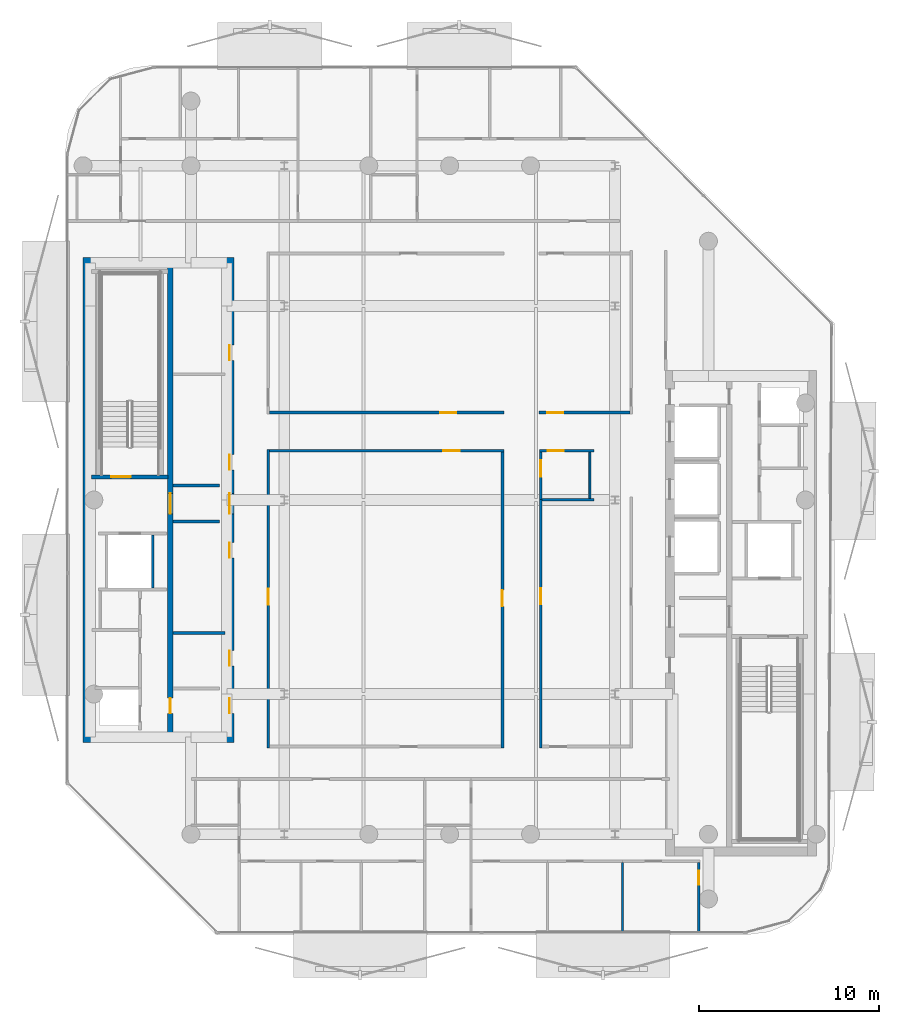
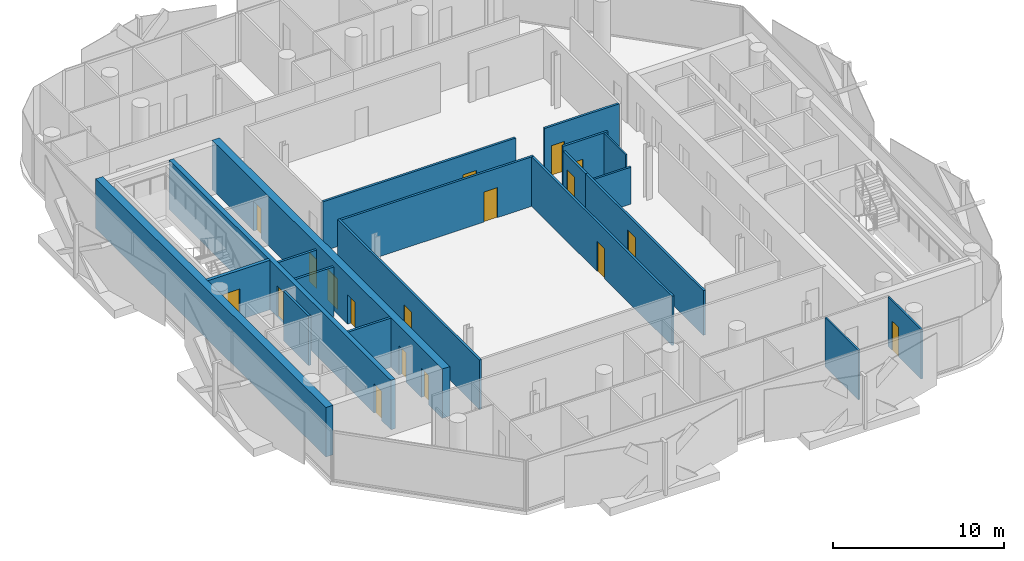
# One storey, part 5 of 17: 20 walls, 18 doors, 18 openings.
"""IFC4 building model written with IfcOpenShell, lengths in metres."""

from ifc_helpers import new_model, si_unit, direction, frame, frame_2d, origin, place, context, subcontext, project, spatial, rectangle, extrude, material, layer, layer_set, type_object, element, fill, save


model = new_model("IFC4")

# Units and contexts
model_context = context("Model", 3, precision=1e-05, world=origin(), true_north=direction((0.0, 1.0)))
body_context = subcontext(model_context, "Body", "Model", "MODEL_VIEW")
ifc_project = project(units=[si_unit("LENGTHUNIT", "METRE"), si_unit("AREAUNIT", "SQUARE_METRE"), si_unit("VOLUMEUNIT", "CUBIC_METRE"), si_unit("PLANEANGLEUNIT", "RADIAN"), si_unit("MASSUNIT", "GRAM", prefix="KILO")], contexts=[model_context])

# Site, building, storey
site_placement = place(None, origin())
site = spatial("IfcSite", under=ifc_project, at=site_placement, CompositionType="ELEMENT")
building_placement = place(site_placement, origin())
building = spatial("IfcBuilding", under=site, at=building_placement, Name="Khairoan Windgate Tower", CompositionType="ELEMENT")
storey_placement = place(building_placement, frame((0.0, 0.0, 304.199951171875)))
storey = spatial("IfcBuildingStorey", under=building, at=storey_placement, Name="L73", CompositionType="ELEMENT", Elevation=304.199951171875)

# Walls
ifc_material_1 = material(Name="Moisture-Resistant Gypsum Partition", Category="gypsum")
ifc_layer_1 = layer(ifc_material_1, 0.10009765625, Name="Moisture-Resistant Gypsum Partition")
ifc_layer_set_1 = layer_set([ifc_layer_1], Name="Moisture-Resistant Gypsum Partition")
wall_type_1 = type_object("IfcWallType", Name="Bathroom Wet-Area Partition Wall", PredefinedType="PARTITIONING", material=ifc_layer_set_1)
wall_1_placement = place(storey_placement, frame((7.800048828125, 2.659912109375, 0.0), z_axis=(0.0, 0.0, 1.0), x_axis=(0.0, -1.0, 0.0)))
element("IfcWall", 1, at=wall_1_placement, inside=storey, type_object=wall_type_1, Name="L73 Wet Room Side Wall 087", PredefinedType="PARTITIONING", context=body_context, shape_type="SweptSolid", body=[
    extrude(rectangle(XDim=2.56982421875, YDim=0.10009765625, at=frame_2d((1.284912109375, 0.0))), origin(), (0.0, 0.0, 1.0), 3.5400390625),
])
ifc_material_2 = material(Name="Concrete C40/50", Category="concrete")
ifc_layer_2 = layer(ifc_material_2, 0.159912109375, Name="Concrete C40/50")
ifc_layer_set_2 = layer_set([ifc_layer_2], Name="Concrete C40/50")
wall_type_2 = type_object("IfcWallType", Name="Core and Hoistway Enclosure Wall", PredefinedType="STANDARD", material=ifc_layer_set_2)
wall_2_placement = place(storey_placement, frame((-16.52001953125, -4.89990234375, 0.0), z_axis=(0.0, 0.0, 1.0), x_axis=(0.0, 1.0, 0.0)))
element("IfcWall", 2, at=wall_2_placement, inside=storey, type_object=wall_type_2, Name="L73 Core Shaft Wall SW-FL2E-L73", PredefinedType="STANDARD", context=body_context, shape_type="SweptSolid", body=[
    extrude(rectangle(XDim=2.9599609375, YDim=0.159912109375, at=frame_2d((1.47998046875, 0.0))), origin(), (0.0, 0.0, 1.0), 3.5400390625),
])
for number, where, z_axis, x_axis, name in (
    (3, (-15.39990234375, 0.800048828125, 0.0), (0.0, 0.0, 1.0), (1.0, 0.0, 0.0), "L73 Core Shaft Wall SW-WV1-L73"),
    (4, (-15.39990234375, -1.199951171875, 0.0), (0.0, 0.0, 1.0), (1.0, 0.0, 0.0), "L73 Core Shaft Wall SW-WV2-L73"),
):
    element("IfcWall", number, at=place(storey_placement, frame(where, z_axis=z_axis, x_axis=x_axis)), inside=storey, type_object=wall_type_2, Name=name, PredefinedType="STANDARD", context=body_context, shape_type="SweptSolid", body=[
        extrude(rectangle(XDim=2.599853515625, YDim=0.159912109375, at=frame_2d((1.2998046875, 0.0))), origin(), (0.0, 0.0, 1.0), 3.5400390625),
    ])
ifc_material_3 = material(Name="Acoustic Fire-Rated Gypsum Partition", Category="gypsum")
ifc_layer_3 = layer(ifc_material_3, 0.139892578125, Name="Acoustic Fire-Rated Gypsum Partition")
ifc_layer_set_3 = layer_set([ifc_layer_3], Name="Acoustic Fire-Rated Gypsum Partition")
wall_type_3 = type_object("IfcWallType", Name="Inter-Tenancy Compartment Wall", PredefinedType="PARTITIONING", material=ifc_layer_set_3)
wall_3_placement = place(storey_placement, frame((5.139892578125, 0.02001953125, 0.0), z_axis=(0.0, 0.0, 1.0), x_axis=(1.0, 0.0, 0.0)))
element("IfcWall", 5, at=wall_3_placement, inside=storey, type_object=wall_type_3, Name="L73 Interior Partition 082", PredefinedType="PARTITIONING", context=body_context, shape_type="SweptSolid", body=[
    extrude(rectangle(XDim=2.900146484375, YDim=0.139892578125, at=frame_2d((1.4501953125, 0.0))), origin(), (0.0, 0.0, 1.0), 2.64013671875),
])

# Wall, opening, door
ifc_material_4 = material(Name="Gypsum Stud Partition", Category="gypsum")
ifc_layer_4 = layer(ifc_material_4, 0.1201171875, Name="Gypsum Stud Partition")
ifc_layer_set_4 = layer_set([ifc_layer_4], Name="Gypsum Stud Partition")
wall_type_4 = type_object("IfcWallType", Name="Internal Room Partition Wall", PredefinedType="PARTITIONING", material=ifc_layer_set_4)
wall_4_placement = place(storey_placement, frame((13.860107421875, -24.054931640625, 0.0), z_axis=(0.0, 0.0, 1.0), x_axis=(0.0, 1.0, 0.0)))
wall_4 = element("IfcWall", 6, at=wall_4_placement, inside=storey, type_object=wall_type_4, Name="L73 Interior Partition 079", PredefinedType="PARTITIONING", context=body_context, shape_type="SweptSolid", body=[
    extrude(rectangle(XDim=3.89501953125, YDim=0.1201171875, at=frame_2d((1.947509765625, 0.0))), origin(), (0.0, 0.0, 1.0), 3.5400390625),
])
opening_1_placement = place(wall_4_placement, frame((2.635009765625, 0.0, 0.0)))
opening_1 = element("IfcOpeningElement", 7, at=opening_1_placement, cuts=wall_4, Name="Opening ID-BTH", PredefinedType="OPENING", context=body_context, shape_type="SweptSolid", body=[
    extrude(rectangle(XDim=0.800048828125, YDim=2.10009765625, at=frame_2d((0.39990234375, 1.050048828125))), frame((0.0, 0.070068359375, 0.0), z_axis=(0.0, -1.0, 0.0), x_axis=(1.0, 0.0, 0.0)), (0.0, 0.0, 1.0), 0.14013671875),
])
ifc_material_5 = material(Name="Teak Veneer Timber Leaf", Category="wood")
door_type_1 = type_object("IfcDoorType", Name="Internal Bathroom Door ID-BTH 800x2100", OperationType="NOTDEFINED", PredefinedType="DOOR", material=ifc_material_5)
door_1_placement = place(opening_1_placement, origin())
door_1 = element("IfcDoor", 8, at=door_1_placement, inside=storey, type_object=door_type_1, Name="L73 L73-55-L73-58 Door", OperationType="SINGLE_SWING_LEFT", OverallHeight=2.10009765625, OverallWidth=0.800048828125, PredefinedType="DOOR", context=body_context, shape_type="SweptSolid", body=[
    extrude(rectangle(XDim=0.800048828125, YDim=2.10009765625, at=frame_2d((0.39990234375, 1.050048828125))), frame((0.0, 0.02490234375, 0.0), z_axis=(0.0, -1.0, 0.0), x_axis=(1.0, 0.0, 0.0)), (0.0, 0.0, 1.0), 0.050048828125),
])
fill(opening_1, door_1)

# Walls
wall_5_placement = place(storey_placement, frame((9.610107421875, -24.054931640625, 0.0), z_axis=(0.0, 0.0, 1.0), x_axis=(0.0, 1.0, 0.0)))
element("IfcWall", 9, at=wall_5_placement, inside=storey, type_object=wall_type_4, Name="L73 Interior Partition 081", PredefinedType="PARTITIONING", context=body_context, shape_type="SweptSolid", body=[
    extrude(rectangle(XDim=3.89501953125, YDim=0.1201171875, at=frame_2d((1.947509765625, 0.0))), origin(), (0.0, 0.0, 1.0), 3.5400390625),
])
ifc_material_6 = material(Name="Concrete C40/50", Category="concrete")
ifc_layer_5 = layer(ifc_material_6, 0.159912109375, Name="Concrete C40/50")
ifc_layer_set_5 = layer_set([ifc_layer_5], Name="Concrete C40/50")
wall_type_5 = type_object("IfcWallType", Name="Plant and Refuge Compartment Wall", PredefinedType="PARTITIONING", material=ifc_layer_set_5)
wall_6_placement = place(storey_placement, frame((-15.39990234375, -7.39990234375, 0.0), z_axis=(0.0, 0.0, 1.0), x_axis=(1.0, 0.0, 0.0)))
element("IfcWall", 10, at=wall_6_placement, inside=storey, type_object=wall_type_5, Name="L73 Interior Partition 007", PredefinedType="PARTITIONING", context=body_context, shape_type="SweptSolid", body=[
    extrude(rectangle(XDim=2.89990234375, YDim=0.159912109375, at=frame_2d((1.449951171875, 0.0))), origin(), (0.0, 0.0, 1.0), 3.5400390625),
])

# Wall, opening, door
ifc_material_7 = material(Name="Acoustic Fire-Rated Gypsum Partition", Category="gypsum")
ifc_layer_6 = layer(ifc_material_7, 0.14990234375, Name="Acoustic Fire-Rated Gypsum Partition")
ifc_layer_set_6 = layer_set([ifc_layer_6], Name="Acoustic Fire-Rated Gypsum Partition")
wall_type_6 = type_object("IfcWallType", Name="Rated Corridor Partition Wall", PredefinedType="PARTITIONING", material=ifc_layer_set_6)
wall_7_placement = place(storey_placement, frame((-10.10009765625, -13.794921875, 0.0), z_axis=(0.0, 0.0, 1.0), x_axis=(0.0, 1.0, 0.0)))
wall_7 = element("IfcWall", 11, at=wall_7_placement, inside=storey, type_object=wall_type_6, Name="L73 Interior Partition 014", PredefinedType="PARTITIONING", context=body_context, shape_type="SweptSolid", body=[
    extrude(rectangle(XDim=16.60498046875, YDim=0.14990234375, at=frame_2d((8.302490234375, 0.0))), origin(), (0.0, 0.0, 1.0), 3.5400390625),
])
opening_2_placement = place(wall_7_placement, frame((7.953857421875, 0.0, 0.0)))
opening_2 = element("IfcOpeningElement", 12, at=opening_2_placement, cuts=wall_7, Name="Opening FD-ENT", PredefinedType="OPENING", context=body_context, shape_type="SweptSolid", body=[
    extrude(rectangle(XDim=0.89990234375, YDim=2.14990234375, at=frame_2d((0.449951171875, 1.074951171875))), frame((0.0, 0.0849609375, 0.0), z_axis=(0.0, -1.0, 0.0), x_axis=(1.0, 0.0, 0.0)), (0.0, 0.0, 1.0), 0.169921875),
])
ifc_material_8 = material(Name="Timber Fire-Rated Core", Category="wood")
door_type_2 = type_object("IfcDoorType", Name="Unit and Office Fire Entrance Door FD-ENT 900x2150", OperationType="NOTDEFINED", PredefinedType="DOOR", material=ifc_material_8)
door_2_placement = place(opening_2_placement, origin())
door_2 = element("IfcDoor", 13, at=door_2_placement, inside=storey, type_object=door_type_2, Name="L73 L73-27-L73-61 Door", OperationType="SINGLE_SWING_LEFT", OverallHeight=2.14990234375, OverallWidth=0.89990234375, PredefinedType="DOOR", context=body_context, shape_type="SweptSolid", body=[
    extrude(rectangle(XDim=0.89990234375, YDim=2.14990234375, at=frame_2d((0.449951171875, 1.074951171875))), frame((0.0, 0.02490234375, 0.0), z_axis=(0.0, -1.0, 0.0), x_axis=(1.0, 0.0, 0.0)), (0.0, 0.0, 1.0), 0.050048828125),
])
fill(opening_2, door_2)

wall_8_placement = place(storey_placement, frame((-10.02490234375, 4.864990234375, 0.0), z_axis=(0.0, 0.0, 1.0), x_axis=(1.0, 0.0, 0.0)))
wall_8 = element("IfcWall", 14, at=wall_8_placement, inside=storey, type_object=wall_type_6, Name="L73 Interior Partition 018", PredefinedType="PARTITIONING", context=body_context, shape_type="SweptSolid", body=[
    extrude(rectangle(XDim=13.054931640625, YDim=0.14990234375, at=frame_2d((6.52734375, 0.0))), origin(), (0.0, 0.0, 1.0), 3.5400390625),
])
opening_3_placement = place(wall_8_placement, frame((9.488037109375, 0.0, 0.0)))
opening_3 = element("IfcOpeningElement", 15, at=opening_3_placement, cuts=wall_8, Name="Opening FD-ENT", PredefinedType="OPENING", context=body_context, shape_type="SweptSolid", body=[
    extrude(rectangle(XDim=0.89990234375, YDim=2.14990234375, at=frame_2d((0.449951171875, 1.074951171875))), frame((0.0, 0.0849609375, 0.0), z_axis=(0.0, -1.0, 0.0), x_axis=(1.0, 0.0, 0.0)), (0.0, 0.0, 1.0), 0.169921875),
])
door_3_placement = place(opening_3_placement, origin())
door_3 = element("IfcDoor", 16, at=door_3_placement, inside=storey, type_object=door_type_2, Name="L73 L73-29-L73-60 Door", OperationType="SINGLE_SWING_LEFT", OverallHeight=2.14990234375, OverallWidth=0.89990234375, PredefinedType="DOOR", context=body_context, shape_type="SweptSolid", body=[
    extrude(rectangle(XDim=0.89990234375, YDim=2.14990234375, at=frame_2d((0.449951171875, 1.074951171875))), frame((0.0, 0.02490234375, 0.0), z_axis=(0.0, -1.0, 0.0), x_axis=(1.0, 0.0, 0.0)), (0.0, 0.0, 1.0), 0.050048828125),
])
fill(opening_3, door_3)

wall_9_placement = place(storey_placement, frame((-10.02490234375, 2.735107421875, 0.0), z_axis=(0.0, 0.0, 1.0), x_axis=(1.0, 0.0, 0.0)))
wall_9 = element("IfcWall", 17, at=wall_9_placement, inside=storey, type_object=wall_type_6, Name="L73 Interior Partition 019", PredefinedType="PARTITIONING", context=body_context, shape_type="SweptSolid", body=[
    extrude(rectangle(XDim=13.034912109375, YDim=0.14990234375, at=frame_2d((6.517578125, 0.0))), origin(), (0.0, 0.0, 1.0), 3.5400390625),
])
opening_4_placement = place(wall_9_placement, frame((9.67236328125, 0.0, 0.0)))
opening_4 = element("IfcOpeningElement", 18, at=opening_4_placement, cuts=wall_9, Name="Opening FD-ENT", PredefinedType="OPENING", context=body_context, shape_type="SweptSolid", body=[
    extrude(rectangle(XDim=0.89990234375, YDim=2.14990234375, at=frame_2d((0.449951171875, 1.074951171875))), frame((0.0, 0.0849609375, 0.0), z_axis=(0.0, -1.0, 0.0), x_axis=(1.0, 0.0, 0.0)), (0.0, 0.0, 1.0), 0.169921875),
])
door_4_placement = place(opening_4_placement, origin())
door_4 = element("IfcDoor", 19, at=door_4_placement, inside=storey, type_object=door_type_2, Name="L73 L73-29-L73-61 Door", OperationType="SINGLE_SWING_RIGHT", OverallHeight=2.14990234375, OverallWidth=0.89990234375, PredefinedType="DOOR", context=body_context, shape_type="SweptSolid", body=[
    extrude(rectangle(XDim=0.89990234375, YDim=2.14990234375, at=frame_2d((0.449951171875, 1.074951171875))), frame((0.0, 0.02490234375, 0.0), z_axis=(0.0, -1.0, 0.0), x_axis=(1.0, 0.0, 0.0)), (0.0, 0.0, 1.0), 0.050048828125),
])
fill(opening_4, door_4)

wall_10_placement = place(storey_placement, frame((4.969970703125, 4.864990234375, 0.0), z_axis=(0.0, 0.0, 1.0), x_axis=(1.0, 0.0, 0.0)))
wall_10 = element("IfcWall", 20, at=wall_10_placement, inside=storey, type_object=wall_type_6, Name="L73 Interior Partition 020", PredefinedType="PARTITIONING", context=body_context, shape_type="SweptSolid", body=[
    extrude(rectangle(XDim=5.054931640625, YDim=0.14990234375, at=frame_2d((2.52734375, 0.0))), origin(), (0.0, 0.0, 1.0), 3.5400390625),
])
opening_5_placement = place(wall_10_placement, frame((0.4599609375, 0.0, 0.0)))
opening_5 = element("IfcOpeningElement", 21, at=opening_5_placement, cuts=wall_10, Name="Opening FD-ENT", PredefinedType="OPENING", context=body_context, shape_type="SweptSolid", body=[
    extrude(rectangle(XDim=0.89990234375, YDim=2.14990234375, at=frame_2d((0.449951171875, 1.074951171875))), frame((0.0, 0.0849609375, 0.0), z_axis=(0.0, -1.0, 0.0), x_axis=(1.0, 0.0, 0.0)), (0.0, 0.0, 1.0), 0.169921875),
])
door_5_placement = place(opening_5_placement, origin())
door_5 = element("IfcDoor", 22, at=door_5_placement, inside=storey, type_object=door_type_2, Name="L73 L73-29-L73-62 Door", OperationType="SINGLE_SWING_LEFT", OverallHeight=2.14990234375, OverallWidth=0.89990234375, PredefinedType="DOOR", context=body_context, shape_type="SweptSolid", body=[
    extrude(rectangle(XDim=0.89990234375, YDim=2.14990234375, at=frame_2d((0.449951171875, 1.074951171875))), frame((0.0, 0.02490234375, 0.0), z_axis=(0.0, -1.0, 0.0), x_axis=(1.0, 0.0, 0.0)), (0.0, 0.0, 1.0), 0.050048828125),
])
fill(opening_5, door_5)

wall_11_placement = place(storey_placement, frame((4.989990234375, 2.735107421875, 0.0), z_axis=(0.0, 0.0, 1.0), x_axis=(1.0, 0.0, 0.0)))
wall_11 = element("IfcWall", 23, at=wall_11_placement, inside=storey, type_object=wall_type_6, Name="L73 Interior Partition 021", PredefinedType="PARTITIONING", context=body_context, shape_type="SweptSolid", body=[
    extrude(rectangle(XDim=3.050048828125, YDim=0.14990234375, at=frame_2d((1.52490234375, 0.0))), origin(), (0.0, 0.0, 1.0), 3.5400390625),
])
opening_6_placement = place(wall_11_placement, frame((0.4599609375, 0.0, 0.0)))
opening_6 = element("IfcOpeningElement", 24, at=opening_6_placement, cuts=wall_11, Name="Opening FD-ENT", PredefinedType="OPENING", context=body_context, shape_type="SweptSolid", body=[
    extrude(rectangle(XDim=0.89990234375, YDim=2.14990234375, at=frame_2d((0.449951171875, 1.074951171875))), frame((0.0, 0.0849609375, 0.0), z_axis=(0.0, -1.0, 0.0), x_axis=(1.0, 0.0, 0.0)), (0.0, 0.0, 1.0), 0.169921875),
])
door_6_placement = place(opening_6_placement, origin())
door_6 = element("IfcDoor", 25, at=door_6_placement, inside=storey, type_object=door_type_2, Name="L73 L73-29-L73-63 Door", OperationType="SINGLE_SWING_RIGHT", OverallHeight=2.14990234375, OverallWidth=0.89990234375, PredefinedType="DOOR", context=body_context, shape_type="SweptSolid", body=[
    extrude(rectangle(XDim=0.89990234375, YDim=2.14990234375, at=frame_2d((0.449951171875, 1.074951171875))), frame((0.0, 0.02490234375, 0.0), z_axis=(0.0, -1.0, 0.0), x_axis=(1.0, 0.0, 0.0)), (0.0, 0.0, 1.0), 0.050048828125),
])
fill(opening_6, door_6)

wall_12_placement = place(storey_placement, frame((2.93505859375, -13.794921875, 0.0), z_axis=(0.0, 0.0, 1.0), x_axis=(0.0, 1.0, 0.0)))
wall_12 = element("IfcWall", 26, at=wall_12_placement, inside=storey, type_object=wall_type_6, Name="L73 Interior Partition 022", PredefinedType="PARTITIONING", context=body_context, shape_type="SweptSolid", body=[
    extrude(rectangle(XDim=16.454833984375, YDim=0.14990234375, at=frame_2d((8.2275390625, 0.0))), origin(), (0.0, 0.0, 1.0), 3.5400390625),
])
opening_7_placement = place(wall_12_placement, frame((7.877685546875, 0.0, 0.0)))
opening_7 = element("IfcOpeningElement", 27, at=opening_7_placement, cuts=wall_12, Name="Opening FD-ENT", PredefinedType="OPENING", context=body_context, shape_type="SweptSolid", body=[
    extrude(rectangle(XDim=0.89990234375, YDim=2.14990234375, at=frame_2d((0.449951171875, 1.074951171875))), frame((0.0, 0.0849609375, 0.0), z_axis=(0.0, -1.0, 0.0), x_axis=(1.0, 0.0, 0.0)), (0.0, 0.0, 1.0), 0.169921875),
])
door_7_placement = place(opening_7_placement, origin())
door_7 = element("IfcDoor", 28, at=door_7_placement, inside=storey, type_object=door_type_2, Name="L73 L73-30-L73-61 Door", OperationType="SINGLE_SWING_LEFT", OverallHeight=2.14990234375, OverallWidth=0.89990234375, PredefinedType="DOOR", context=body_context, shape_type="SweptSolid", body=[
    extrude(rectangle(XDim=0.89990234375, YDim=2.14990234375, at=frame_2d((0.449951171875, 1.074951171875))), frame((0.0, 0.02490234375, 0.0), z_axis=(0.0, -1.0, 0.0), x_axis=(1.0, 0.0, 0.0)), (0.0, 0.0, 1.0), 0.050048828125),
])
fill(opening_7, door_7)

wall_13_placement = place(storey_placement, frame((5.06494140625, 0.02001953125, 0.0), z_axis=(0.0, 0.0, 1.0), x_axis=(0.0, 1.0, 0.0)))
wall_13 = element("IfcWall", 29, at=wall_13_placement, inside=storey, type_object=wall_type_6, Name="L73 Interior Partition 023", PredefinedType="PARTITIONING", context=body_context, shape_type="SweptSolid", body=[
    extrude(rectangle(XDim=2.639892578125, YDim=0.14990234375, at=frame_2d((1.31982421875, 0.0))), origin(), (0.0, 0.0, 1.0), 3.18994140625),
])
opening_8_placement = place(wall_13_placement, frame((1.280029296875, 0.0, 0.0)))
opening_8 = element("IfcOpeningElement", 30, at=opening_8_placement, cuts=wall_13, Name="Opening FD-ENT", PredefinedType="OPENING", context=body_context, shape_type="SweptSolid", body=[
    extrude(rectangle(XDim=0.89990234375, YDim=2.14990234375, at=frame_2d((0.449951171875, 1.074951171875))), frame((0.0, 0.0849609375, 0.0), z_axis=(0.0, -1.0, 0.0), x_axis=(1.0, 0.0, 0.0)), (0.0, 0.0, 1.0), 0.169921875),
])
door_8_placement = place(opening_8_placement, origin())
door_8 = element("IfcDoor", 31, at=door_8_placement, inside=storey, type_object=door_type_2, Name="L73 L73-30-L73-63 Door", OperationType="SINGLE_SWING_RIGHT", OverallHeight=2.14990234375, OverallWidth=0.89990234375, PredefinedType="DOOR", context=body_context, shape_type="SweptSolid", body=[
    extrude(rectangle(XDim=0.89990234375, YDim=2.14990234375, at=frame_2d((0.449951171875, 1.074951171875))), frame((0.0, 0.02490234375, 0.0), z_axis=(0.0, -1.0, 0.0), x_axis=(1.0, 0.0, 0.0)), (0.0, 0.0, 1.0), 0.050048828125),
])
fill(opening_8, door_8)

wall_14_placement = place(storey_placement, frame((5.06494140625, -13.794921875, 0.0), z_axis=(0.0, 0.0, 1.0), x_axis=(0.0, 1.0, 0.0)))
wall_14 = element("IfcWall", 32, at=wall_14_placement, inside=storey, type_object=wall_type_6, Name="L73 Interior Partition 024", PredefinedType="PARTITIONING", context=body_context, shape_type="SweptSolid", body=[
    extrude(rectangle(XDim=13.81494140625, YDim=0.14990234375, at=frame_2d((6.907470703125, 0.0))), origin(), (0.0, 0.0, 1.0), 3.18994140625),
])
opening_9_placement = place(wall_14_placement, frame((7.982421875, 0.0, 0.0)))
opening_9 = element("IfcOpeningElement", 33, at=opening_9_placement, cuts=wall_14, Name="Opening FD-ENT", PredefinedType="OPENING", context=body_context, shape_type="SweptSolid", body=[
    extrude(rectangle(XDim=0.89990234375, YDim=2.14990234375, at=frame_2d((0.449951171875, 1.074951171875))), frame((0.0, 0.0849609375, 0.0), z_axis=(0.0, -1.0, 0.0), x_axis=(1.0, 0.0, 0.0)), (0.0, 0.0, 1.0), 0.169921875),
])
door_9_placement = place(opening_9_placement, origin())
door_9 = element("IfcDoor", 34, at=door_9_placement, inside=storey, type_object=door_type_2, Name="L73 L73-30-L73-64 Door", OperationType="SINGLE_SWING_LEFT", OverallHeight=2.14990234375, OverallWidth=0.89990234375, PredefinedType="DOOR", context=body_context, shape_type="SweptSolid", body=[
    extrude(rectangle(XDim=0.89990234375, YDim=2.14990234375, at=frame_2d((0.449951171875, 1.074951171875))), frame((0.0, 0.02490234375, 0.0), z_axis=(0.0, -1.0, 0.0), x_axis=(1.0, 0.0, 0.0)), (0.0, 0.0, 1.0), 0.050048828125),
])
fill(opening_9, door_9)

# Wall
ifc_material_9 = material(Name="Concrete C50/60", Category="concrete")
ifc_layer_7 = layer(ifc_material_9, 0.5, Name="Concrete C50/60")
ifc_layer_set_7 = layer_set([ifc_layer_7], Name="Concrete C50/60")
wall_type_7 = type_object("IfcWallType", Name="Shear Wall CW-W3 500mm", PredefinedType="SHEAR", material=ifc_layer_set_7)
wall_15_placement = place(storey_placement, frame((-20.14990234375, -13.5, 0.0), z_axis=(0.0, 0.0, 1.0), x_axis=(0.0, 1.0, 0.0)))
element("IfcWall", 35, at=wall_15_placement, inside=storey, type_object=wall_type_7, Name="W Core West Shear Wall L73", PredefinedType="SHEAR", context=body_context, shape_type="SweptSolid", body=[
    extrude(rectangle(XDim=27.0, YDim=0.5, at=frame_2d((13.5, 0.0))), origin(), (0.0, 0.0, 1.0), 3.5400390625),
])

# Wall, openings, doors
wall_16_placement = place(storey_placement, frame((-12.25, -13.5, 0.0), z_axis=(0.0, 0.0, 1.0), x_axis=(0.0, 1.0, 0.0)))
wall_16 = element("IfcWall", 36, at=wall_16_placement, inside=storey, type_object=wall_type_7, Name="W Core East Shear Wall L73", PredefinedType="SHEAR", context=body_context, shape_type="SweptSolid", body=[
    extrude(rectangle(XDim=27.0, YDim=0.5, at=frame_2d((13.5, 0.0))), origin(), (0.0, 0.0, 1.0), 3.5400390625),
])
opening_10_placement = place(wall_16_placement, frame((15.175048828125, 0.0, 0.0)))
opening_10 = element("IfcOpeningElement", 37, at=opening_10_placement, cuts=wall_16, Name="Opening FD-SRV", PredefinedType="OPENING", context=body_context, shape_type="SweptSolid", body=[
    extrude(rectangle(XDim=0.85009765625, YDim=2.10009765625, at=frame_2d((0.425048828125, 1.050048828125))), frame((0.0, 0.260009765625, 0.0), z_axis=(0.0, -1.0, 0.0), x_axis=(1.0, 0.0, 0.0)), (0.0, 0.0, 1.0), 0.52001953125),
])
opening_11_placement = place(wall_16_placement, frame((21.27490234375, 0.0, 0.0)))
opening_11 = element("IfcOpeningElement", 38, at=opening_11_placement, cuts=wall_16, Name="Opening FD-SRV", PredefinedType="OPENING", context=body_context, shape_type="SweptSolid", body=[
    extrude(rectangle(XDim=0.85009765625, YDim=2.10009765625, at=frame_2d((0.425048828125, 1.050048828125))), frame((0.0, 0.260009765625, 0.0), z_axis=(0.0, -1.0, 0.0), x_axis=(1.0, 0.0, 0.0)), (0.0, 0.0, 1.0), 0.52001953125),
])
opening_12_placement = place(wall_16_placement, frame((4.27490234375, 0.0, 0.0)))
opening_12 = element("IfcOpeningElement", 39, at=opening_12_placement, cuts=wall_16, Name="Opening FD-SRV", PredefinedType="OPENING", context=body_context, shape_type="SweptSolid", body=[
    extrude(rectangle(XDim=0.85009765625, YDim=2.10009765625, at=frame_2d((0.425048828125, 1.050048828125))), frame((0.0, 0.260009765625, 0.0), z_axis=(0.0, -1.0, 0.0), x_axis=(1.0, 0.0, 0.0)), (0.0, 0.0, 1.0), 0.52001953125),
])
opening_13_placement = place(wall_16_placement, frame((10.27490234375, 0.0, 0.0)))
opening_13 = element("IfcOpeningElement", 40, at=opening_13_placement, cuts=wall_16, Name="Opening FD-SRV", PredefinedType="OPENING", context=body_context, shape_type="SweptSolid", body=[
    extrude(rectangle(XDim=0.85009765625, YDim=2.10009765625, at=frame_2d((0.425048828125, 1.050048828125))), frame((0.0, 0.260009765625, 0.0), z_axis=(0.0, -1.0, 0.0), x_axis=(1.0, 0.0, 0.0)), (0.0, 0.0, 1.0), 0.52001953125),
])
opening_14_placement = place(wall_16_placement, frame((12.72509765625, 0.0, 0.0)))
opening_14 = element("IfcOpeningElement", 41, at=opening_14_placement, cuts=wall_16, Name="Opening FD-FFL", PredefinedType="OPENING", context=body_context, shape_type="SweptSolid", body=[
    extrude(rectangle(XDim=1.14990234375, YDim=2.199951171875, at=frame_2d((0.574951171875, 1.10009765625))), frame((0.0, 0.260009765625, 0.0), z_axis=(0.0, -1.0, 0.0), x_axis=(1.0, 0.0, 0.0)), (0.0, 0.0, 1.0), 0.52001953125),
])
opening_15_placement = place(wall_16_placement, frame((1.625, 0.0, 0.0)))
opening_15 = element("IfcOpeningElement", 42, at=opening_15_placement, cuts=wall_16, Name="Opening FD-SRV", PredefinedType="OPENING", context=body_context, shape_type="SweptSolid", body=[
    extrude(rectangle(XDim=0.85009765625, YDim=2.10009765625, at=frame_2d((0.425048828125, 1.050048828125))), frame((0.0, 0.260009765625, 0.0), z_axis=(0.0, -1.0, 0.0), x_axis=(1.0, 0.0, 0.0)), (0.0, 0.0, 1.0), 0.52001953125),
])
ifc_material_10 = material(Name="Steel S355", Category="steel")
door_type_3 = type_object("IfcDoorType", Name="Core Service and Riser Fire Door FD-SRV 850x2100", OperationType="NOTDEFINED", PredefinedType="DOOR", material=ifc_material_10)
door_10_placement = place(opening_10_placement, origin())
door_10 = element("IfcDoor", 43, at=door_10_placement, inside=storey, type_object=door_type_3, Name="L73 Upper Core Room Door B1-1", OperationType="SINGLE_SWING_LEFT", OverallHeight=2.10009765625, OverallWidth=0.85009765625, PredefinedType="DOOR", context=body_context, shape_type="SweptSolid", body=[
    extrude(rectangle(XDim=0.85009765625, YDim=2.10009765625, at=frame_2d((0.425048828125, 1.050048828125))), frame((0.0, 0.02490234375, 0.0), z_axis=(0.0, -1.0, 0.0), x_axis=(1.0, 0.0, 0.0)), (0.0, 0.0, 1.0), 0.050048828125),
])
fill(opening_10, door_10)
door_11_placement = place(opening_11_placement, origin())
door_11 = element("IfcDoor", 44, at=door_11_placement, inside=storey, type_object=door_type_3, Name="L73 Upper Core Room Door B1-2", OperationType="SINGLE_SWING_RIGHT", OverallHeight=2.10009765625, OverallWidth=0.85009765625, PredefinedType="DOOR", context=body_context, shape_type="SweptSolid", body=[
    extrude(rectangle(XDim=0.85009765625, YDim=2.10009765625, at=frame_2d((0.425048828125, 1.050048828125))), frame((0.0, 0.02490234375, 0.0), z_axis=(0.0, -1.0, 0.0), x_axis=(1.0, 0.0, 0.0)), (0.0, 0.0, 1.0), 0.050048828125),
])
fill(opening_11, door_11)
door_12_placement = place(opening_12_placement, origin())
door_12 = element("IfcDoor", 45, at=door_12_placement, inside=storey, type_object=door_type_3, Name="L73 Upper Core Room Door B2-1", OperationType="SINGLE_SWING_LEFT", OverallHeight=2.10009765625, OverallWidth=0.85009765625, PredefinedType="DOOR", context=body_context, shape_type="SweptSolid", body=[
    extrude(rectangle(XDim=0.85009765625, YDim=2.10009765625, at=frame_2d((0.425048828125, 1.050048828125))), frame((0.0, 0.02490234375, 0.0), z_axis=(0.0, -1.0, 0.0), x_axis=(1.0, 0.0, 0.0)), (0.0, 0.0, 1.0), 0.050048828125),
])
fill(opening_12, door_12)
door_13_placement = place(opening_13_placement, origin())
door_13 = element("IfcDoor", 46, at=door_13_placement, inside=storey, type_object=door_type_3, Name="L73 Upper Core Room Door B2-2", OperationType="SINGLE_SWING_RIGHT", OverallHeight=2.10009765625, OverallWidth=0.85009765625, PredefinedType="DOOR", context=body_context, shape_type="SweptSolid", body=[
    extrude(rectangle(XDim=0.85009765625, YDim=2.10009765625, at=frame_2d((0.425048828125, 1.050048828125))), frame((0.0, 0.02490234375, 0.0), z_axis=(0.0, -1.0, 0.0), x_axis=(1.0, 0.0, 0.0)), (0.0, 0.0, 1.0), 0.050048828125),
])
fill(opening_13, door_13)
door_14_placement = place(opening_15_placement, origin())
door_14 = element("IfcDoor", 47, at=door_14_placement, inside=storey, type_object=door_type_3, Name="L73 West Core Service Vestibule Outer Door", OperationType="SINGLE_SWING_RIGHT", OverallHeight=2.10009765625, OverallWidth=0.85009765625, PredefinedType="DOOR", context=body_context, shape_type="SweptSolid", body=[
    extrude(rectangle(XDim=0.85009765625, YDim=2.10009765625, at=frame_2d((0.425048828125, 1.050048828125))), frame((0.0, 0.02490234375, 0.0), z_axis=(0.0, -1.0, 0.0), x_axis=(1.0, 0.0, 0.0)), (0.0, 0.0, 1.0), 0.050048828125),
])
fill(opening_15, door_14)
ifc_material_11 = material(Name="Steel S355", Category="steel")
door_type_4 = type_object("IfcDoorType", Name="Firefighting Lobby Fire Door FD-FFL 1150x2200", OperationType="NOTDEFINED", PredefinedType="DOOR", material=ifc_material_11)
door_15_placement = place(opening_14_placement, origin())
door_15 = element("IfcDoor", 48, at=door_15_placement, inside=storey, type_object=door_type_4, Name="L73 West Core Vestibule Entry Door", OperationType="SINGLE_SWING_RIGHT", OverallHeight=2.199951171875, OverallWidth=1.14990234375, PredefinedType="DOOR", context=body_context, shape_type="SweptSolid", body=[
    extrude(rectangle(XDim=1.14990234375, YDim=2.199951171875, at=frame_2d((0.574951171875, 1.10009765625))), frame((0.0, 0.02490234375, 0.0), z_axis=(0.0, -1.0, 0.0), x_axis=(1.0, 0.0, 0.0)), (0.0, 0.0, 1.0), 0.050048828125),
])
fill(opening_14, door_15)

ifc_material_12 = material(Name="Concrete C50/60", Category="concrete")
ifc_layer_8 = layer(ifc_material_12, 0.300048828125, Name="Concrete C50/60")
ifc_layer_set_8 = layer_set([ifc_layer_8], Name="Concrete C50/60")
wall_type_8 = type_object("IfcWallType", Name="Shear Wall SW-2 300mm", PredefinedType="SHEAR", material=ifc_layer_set_8)
wall_17_placement = place(storey_placement, frame((-15.550048828125, -13.0, 0.0), z_axis=(0.0, 0.0, 1.0), x_axis=(0.0, 1.0, 0.0)))
wall_17 = element("IfcWall", 49, at=wall_17_placement, inside=storey, type_object=wall_type_8, Name="W Core Spine Shear Wall L73", PredefinedType="SHEAR", context=body_context, shape_type="SweptSolid", body=[
    extrude(rectangle(XDim=26.0, YDim=0.300048828125, at=frame_2d((13.0, 0.0))), origin(), (0.0, 0.0, 1.0), 3.5400390625),
])
opening_16_placement = place(wall_17_placement, frame((12.22509765625, 0.0, 0.0)))
opening_16 = element("IfcOpeningElement", 50, at=opening_16_placement, cuts=wall_17, Name="Opening FD-FFL", PredefinedType="OPENING", context=body_context, shape_type="SweptSolid", body=[
    extrude(rectangle(XDim=1.14990234375, YDim=2.199951171875, at=frame_2d((0.574951171875, 1.10009765625))), frame((0.0, 0.159912109375, 0.0), z_axis=(0.0, -1.0, 0.0), x_axis=(1.0, 0.0, 0.0)), (0.0, 0.0, 1.0), 0.320068359375),
])
opening_17_placement = place(wall_17_placement, frame((1.125, 0.0, 0.0)))
opening_17 = element("IfcOpeningElement", 51, at=opening_17_placement, cuts=wall_17, Name="Opening FD-SRV", PredefinedType="OPENING", context=body_context, shape_type="SweptSolid", body=[
    extrude(rectangle(XDim=0.85009765625, YDim=2.10009765625, at=frame_2d((0.425048828125, 1.050048828125))), frame((0.0, 0.159912109375, 0.0), z_axis=(0.0, -1.0, 0.0), x_axis=(1.0, 0.0, 0.0)), (0.0, 0.0, 1.0), 0.320068359375),
])
door_16_placement = place(opening_17_placement, origin())
door_16 = element("IfcDoor", 52, at=door_16_placement, inside=storey, type_object=door_type_3, Name="L73 West Core Service Passage Inner Door", OperationType="SINGLE_SWING_LEFT", OverallHeight=2.10009765625, OverallWidth=0.85009765625, PredefinedType="DOOR", context=body_context, shape_type="SweptSolid", body=[
    extrude(rectangle(XDim=0.85009765625, YDim=2.10009765625, at=frame_2d((0.425048828125, 1.050048828125))), frame((0.0, 0.02490234375, 0.0), z_axis=(0.0, -1.0, 0.0), x_axis=(1.0, 0.0, 0.0)), (0.0, 0.0, 1.0), 0.050048828125),
])
fill(opening_17, door_16)
door_17_placement = place(opening_16_placement, origin())
door_17 = element("IfcDoor", 53, at=door_17_placement, inside=storey, type_object=door_type_4, Name="L73 West Firefighting Lobby Fire Door", OperationType="SINGLE_SWING_LEFT", OverallHeight=2.199951171875, OverallWidth=1.14990234375, PredefinedType="DOOR", context=body_context, shape_type="SweptSolid", body=[
    extrude(rectangle(XDim=1.14990234375, YDim=2.199951171875, at=frame_2d((0.574951171875, 1.10009765625))), frame((0.0, 0.02490234375, 0.0), z_axis=(0.0, -1.0, 0.0), x_axis=(1.0, 0.0, 0.0)), (0.0, 0.0, 1.0), 0.050048828125),
])
fill(opening_16, door_17)

# Wall, opening, door
ifc_material_13 = material(Name="Concrete C50/60", Category="concrete")
ifc_layer_9 = layer(ifc_material_13, 0.219970703125, Name="Concrete C50/60")
ifc_layer_set_9 = layer_set([ifc_layer_9], Name="Concrete C50/60")
wall_type_9 = type_object("IfcWallType", Name="Shear Wall SW-ST 220mm", PredefinedType="SHEAR", material=ifc_layer_set_9)
wall_18_placement = place(storey_placement, frame((-19.919921875, 1.2900390625, 0.0), z_axis=(0.0, 0.0, 1.0), x_axis=(1.0, 0.0, 0.0)))
wall_18 = element("IfcWall", 54, at=wall_18_placement, inside=storey, type_object=wall_type_9, Name="L73 Stair ST2 South Bearing Wall", PredefinedType="SHEAR", context=body_context, shape_type="SweptSolid", body=[
    extrude(rectangle(XDim=4.239990234375, YDim=0.219970703125, at=frame_2d((2.1201171875, 0.0))), origin(), (0.0, 0.0, 1.0), 3.5400390625),
])
opening_18_placement = place(wall_18_placement, frame((1.080078125, 0.0, 0.0)))
opening_18 = element("IfcOpeningElement", 55, at=opening_18_placement, cuts=wall_18, Name="Opening FD-ST", PredefinedType="OPENING", context=body_context, shape_type="SweptSolid", body=[
    extrude(rectangle(XDim=1.10009765625, YDim=2.199951171875, at=frame_2d((0.550048828125, 1.10009765625))), frame((0.0, 0.119873046875, 0.0), z_axis=(0.0, -1.0, 0.0), x_axis=(1.0, 0.0, 0.0)), (0.0, 0.0, 1.0), 0.239990234375),
])
ifc_material_14 = material(Name="Steel S355", Category="steel")
door_type_5 = type_object("IfcDoorType", Name="Smokeproof Stair Fire Door FD-ST 1100x2200", OperationType="NOTDEFINED", PredefinedType="DOOR", material=ifc_material_14)
door_18_placement = place(opening_18_placement, origin())
door_18 = element("IfcDoor", 56, at=door_18_placement, inside=storey, type_object=door_type_5, Name="L73 Stair ST2 Fire Door", OperationType="SINGLE_SWING_RIGHT", OverallHeight=2.199951171875, OverallWidth=1.10009765625, PredefinedType="DOOR", context=body_context, shape_type="SweptSolid", body=[
    extrude(rectangle(XDim=1.10009765625, YDim=2.199951171875, at=frame_2d((0.550048828125, 1.10009765625))), frame((0.0, 0.02490234375, 0.0), z_axis=(0.0, -1.0, 0.0), x_axis=(1.0, 0.0, 0.0)), (0.0, 0.0, 1.0), 0.050048828125),
])
fill(opening_18, door_18)

save(model, "model.ifc")
